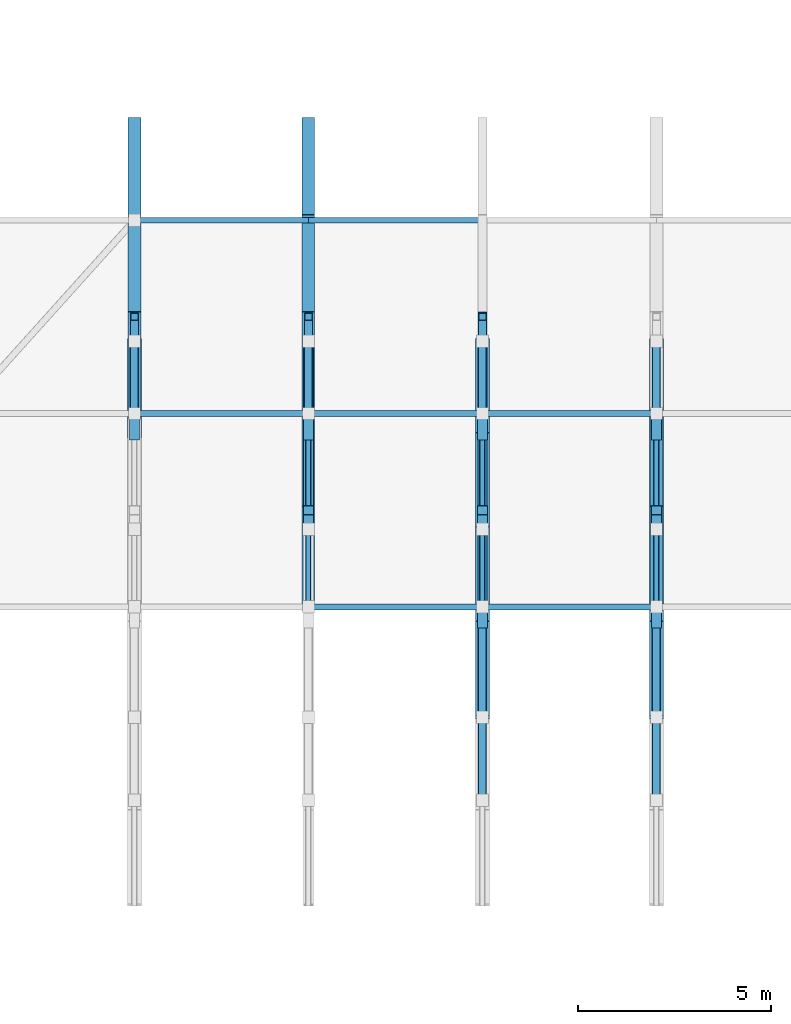
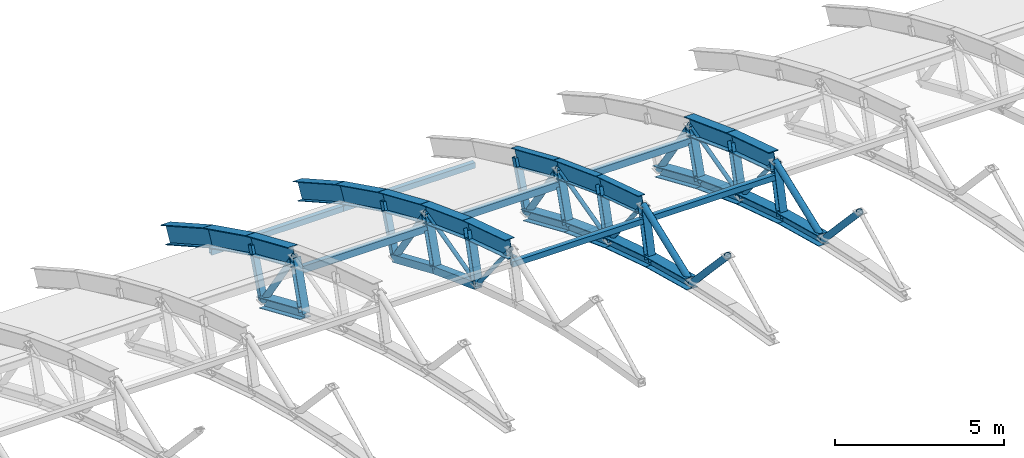
# One storey, part 48 of 103: 44 members, 13 beams.
"""IFC4 building model written with IfcOpenShell, lengths in metres."""

from ifc_helpers import new_model, si_unit, direction, frame, origin, origin_2d, place, context, subcontext, project, spatial, hollow_rectangle, hollow_circle, i_section, extrude, material, material_profile, profile_set, type_object, element, save


model = new_model("IFC4")

# Units and contexts
model_context = context("Model", 3, precision=1e-05, world=origin(), true_north=direction((0.0, 1.0)))
body_context = subcontext(model_context, "Body", "Model", "MODEL_VIEW")
ifc_project = project(units=[si_unit("LENGTHUNIT", "METRE"), si_unit("AREAUNIT", "SQUARE_METRE"), si_unit("VOLUMEUNIT", "CUBIC_METRE"), si_unit("PLANEANGLEUNIT", "RADIAN"), si_unit("MASSUNIT", "GRAM", prefix="KILO")], contexts=[model_context])

# Site, building, storey
site_placement = place(None, origin())
site = spatial("IfcSite", under=ifc_project, at=site_placement, CompositionType="ELEMENT")
building_placement = place(site_placement, origin())
building = spatial("IfcBuilding", under=site, at=building_placement, Name="Cazmaro Siding Exhibition Halls", CompositionType="ELEMENT")
storey_placement = place(building_placement, frame((0.0, 0.0, 16.5)))
storey = spatial("IfcBuildingStorey", under=building, at=storey_placement, Name="L03", CompositionType="ELEMENT", Elevation=16.5)

# Beams
ifc_material_1 = material(Name="Steel ASTM A992 Grade 50", Category="steel")
ifc_material_profile_1 = material_profile(ifc_material_1, i_section(OverallWidth=0.327880859375, OverallDepth=0.626953125, WebThickness=0.01708984375, FlangeThickness=0.028076171875, at=origin_2d()), Name="W24X146")
ifc_profile_set_1 = profile_set([ifc_material_profile_1], Name="Steel ASTM A992 Grade 50")
beam_type_1 = type_object("IfcBeamType", Name="AR-01", PredefinedType="USERDEFINED", material=ifc_profile_set_1)
beam_1_placement = place(storey_placement, frame((112.5, 114.0, 3.1220703125), z_axis=(0.0, 0.917729918626, -0.397204980405), x_axis=(-1.0, 0.0, 0.0)))
element("IfcBeam", 1, at=beam_1_placement, inside=storey, type_object=beam_type_1, Name="Space frame barrel vault arched rib AR-01 BM-0915", ObjectType="ARCHED RIB", PredefinedType="USERDEFINED", context=body_context, shape_type="SweptSolid", body=[
    extrude(i_section(OverallWidth=0.327880859375, OverallDepth=0.626953125, WebThickness=0.01708984375, FlangeThickness=0.028076171875, at=origin_2d()), origin(), (0.0, 0.0, 1.0), 2.72412109375),
])
beam_2_placement = place(storey_placement, frame((112.5, 116.5, 2.0400390625), z_axis=(0.0, 0.895996638269, -0.444060833908), x_axis=(-1.0, 0.0, 0.0)))
element("IfcBeam", 2, at=beam_2_placement, inside=storey, type_object=beam_type_1, Name="Space frame barrel vault arched rib AR-01 BM-0916", ObjectType="ARCHED RIB", PredefinedType="USERDEFINED", context=body_context, shape_type="SweptSolid", body=[
    extrude(i_section(OverallWidth=0.327880859375, OverallDepth=0.626953125, WebThickness=0.01708984375, FlangeThickness=0.028076171875, at=origin_2d()), origin(), (0.0, 0.0, 1.0), 2.790283203125),
])
beam_3_placement = place(storey_placement, frame((112.5, 119.0, 0.801025390625), z_axis=(0.0, 0.871320907359, -0.490713639916), x_axis=(-1.0, 0.0, 0.0)))
element("IfcBeam", 3, at=beam_3_placement, inside=storey, type_object=beam_type_1, Name="Space frame barrel vault arched rib AR-01 BM-0917", ObjectType="ARCHED RIB", PredefinedType="USERDEFINED", context=body_context, shape_type="SweptSolid", body=[
    extrude(i_section(OverallWidth=0.327880859375, OverallDepth=0.626953125, WebThickness=0.01708984375, FlangeThickness=0.028076171875, at=origin_2d()), origin(), (0.0, 0.0, 1.0), 2.869140625),
])
beam_4_placement = place(storey_placement, frame((126.0, 109.0, 4.85498046875), z_axis=(0.0, 0.952769241759, -0.303695195811), x_axis=(-1.0, 0.0, 0.0)))
element("IfcBeam", 4, at=beam_4_placement, inside=storey, type_object=beam_type_1, Name="Space frame barrel vault arched rib AR-01 BM-0985", ObjectType="ARCHED RIB", PredefinedType="USERDEFINED", context=body_context, shape_type="SweptSolid", body=[
    extrude(i_section(OverallWidth=0.327880859375, OverallDepth=0.626953125, WebThickness=0.01708984375, FlangeThickness=0.028076171875, at=origin_2d()), origin(), (0.0, 0.0, 1.0), 2.6240234375),
])
beam_5_placement = place(storey_placement, frame((126.0, 111.5, 4.05810546875), z_axis=(0.0, 0.936509460339, -0.350642311615), x_axis=(-1.0, 0.0, 0.0)))
element("IfcBeam", 5, at=beam_5_placement, inside=storey, type_object=beam_type_1, Name="Space frame barrel vault arched rib AR-01 BM-0986", ObjectType="ARCHED RIB", PredefinedType="USERDEFINED", context=body_context, shape_type="SweptSolid", body=[
    extrude(i_section(OverallWidth=0.327880859375, OverallDepth=0.626953125, WebThickness=0.01708984375, FlangeThickness=0.028076171875, at=origin_2d()), origin(), (0.0, 0.0, 1.0), 2.66943359375),
])
ifc_material_2 = material(Name="Steel ASTM A992 Grade 50", Category="steel")
ifc_material_profile_2 = material_profile(ifc_material_2, i_section(OverallWidth=0.324951171875, OverallDepth=0.612060546875, WebThickness=0.012939453125, FlangeThickness=0.01904296875, at=origin_2d()), Name="W24X104")
ifc_profile_set_2 = profile_set([ifc_material_profile_2], Name="Steel ASTM A992 Grade 50")
beam_type_2 = type_object("IfcBeamType", Name="AR-02", PredefinedType="USERDEFINED", material=ifc_profile_set_2)
beam_6_placement = place(storey_placement, frame((117.0, 109.0, 4.85498046875), z_axis=(0.0, 0.952769241759, -0.303695195811), x_axis=(-1.0, 0.0, 0.0)))
element("IfcBeam", 6, at=beam_6_placement, inside=storey, type_object=beam_type_2, Name="Space frame barrel vault arched rib AR-02 BM-0937", ObjectType="ARCHED RIB", PredefinedType="USERDEFINED", context=body_context, shape_type="SweptSolid", body=[
    extrude(i_section(OverallWidth=0.324951171875, OverallDepth=0.612060546875, WebThickness=0.012939453125, FlangeThickness=0.01904296875, at=origin_2d()), origin(), (0.0, 0.0, 1.0), 2.6240234375),
])
beam_7_placement = place(storey_placement, frame((117.0, 111.5, 4.05810546875), z_axis=(0.0, 0.936509460339, -0.350642311615), x_axis=(-1.0, 0.0, 0.0)))
element("IfcBeam", 7, at=beam_7_placement, inside=storey, type_object=beam_type_2, Name="Space frame barrel vault arched rib AR-02 BM-0938", ObjectType="ARCHED RIB", PredefinedType="USERDEFINED", context=body_context, shape_type="SweptSolid", body=[
    extrude(i_section(OverallWidth=0.324951171875, OverallDepth=0.612060546875, WebThickness=0.012939453125, FlangeThickness=0.01904296875, at=origin_2d()), origin(), (0.0, 0.0, 1.0), 2.66943359375),
])
beam_8_placement = place(storey_placement, frame((117.0, 114.0, 3.1220703125), z_axis=(0.0, 0.917729918626, -0.397204980405), x_axis=(-1.0, 0.0, 0.0)))
element("IfcBeam", 8, at=beam_8_placement, inside=storey, type_object=beam_type_2, Name="Space frame barrel vault arched rib AR-02 BM-0939", ObjectType="ARCHED RIB", PredefinedType="USERDEFINED", context=body_context, shape_type="SweptSolid", body=[
    extrude(i_section(OverallWidth=0.324951171875, OverallDepth=0.612060546875, WebThickness=0.012939453125, FlangeThickness=0.01904296875, at=origin_2d()), origin(), (0.0, 0.0, 1.0), 2.72412109375),
])
beam_9_placement = place(storey_placement, frame((117.0, 116.5, 2.0400390625), z_axis=(0.0, 0.895996638269, -0.444060833908), x_axis=(-1.0, 0.0, 0.0)))
element("IfcBeam", 9, at=beam_9_placement, inside=storey, type_object=beam_type_2, Name="Space frame barrel vault arched rib AR-02 BM-0940", ObjectType="ARCHED RIB", PredefinedType="USERDEFINED", context=body_context, shape_type="SweptSolid", body=[
    extrude(i_section(OverallWidth=0.324951171875, OverallDepth=0.612060546875, WebThickness=0.012939453125, FlangeThickness=0.01904296875, at=origin_2d()), origin(), (0.0, 0.0, 1.0), 2.790283203125),
])
beam_10_placement = place(storey_placement, frame((117.0, 119.0, 0.801025390625), z_axis=(0.0, 0.871320907359, -0.490713639916), x_axis=(-1.0, 0.0, 0.0)))
element("IfcBeam", 10, at=beam_10_placement, inside=storey, type_object=beam_type_2, Name="Space frame barrel vault arched rib AR-02 BM-0941", ObjectType="ARCHED RIB", PredefinedType="USERDEFINED", context=body_context, shape_type="SweptSolid", body=[
    extrude(i_section(OverallWidth=0.324951171875, OverallDepth=0.612060546875, WebThickness=0.012939453125, FlangeThickness=0.01904296875, at=origin_2d()), origin(), (0.0, 0.0, 1.0), 2.869140625),
])
ifc_material_3 = material(Name="Steel ASTM A992 Grade 50", Category="steel")
ifc_material_profile_3 = material_profile(ifc_material_3, i_section(OverallWidth=0.22900390625, OverallDepth=0.612060546875, WebThickness=0.011962890625, FlangeThickness=0.02001953125, at=origin_2d()), Name="W24X84")
ifc_profile_set_3 = profile_set([ifc_material_profile_3], Name="Steel ASTM A992 Grade 50")
beam_type_3 = type_object("IfcBeamType", Name="AR-03", PredefinedType="USERDEFINED", material=ifc_profile_set_3)
beam_11_placement = place(storey_placement, frame((121.5, 109.0, 4.85498046875), z_axis=(0.0, 0.952769241759, -0.303695195811), x_axis=(-1.0, 0.0, 0.0)))
element("IfcBeam", 11, at=beam_11_placement, inside=storey, type_object=beam_type_3, Name="Space frame barrel vault arched rib AR-03 BM-0961", ObjectType="ARCHED RIB", PredefinedType="USERDEFINED", context=body_context, shape_type="SweptSolid", body=[
    extrude(i_section(OverallWidth=0.22900390625, OverallDepth=0.612060546875, WebThickness=0.011962890625, FlangeThickness=0.02001953125, at=origin_2d()), origin(), (0.0, 0.0, 1.0), 2.6240234375),
])
beam_12_placement = place(storey_placement, frame((121.5, 111.5, 4.05810546875), z_axis=(0.0, 0.936509460339, -0.350642311615), x_axis=(-1.0, 0.0, 0.0)))
element("IfcBeam", 12, at=beam_12_placement, inside=storey, type_object=beam_type_3, Name="Space frame barrel vault arched rib AR-03 BM-0962", ObjectType="ARCHED RIB", PredefinedType="USERDEFINED", context=body_context, shape_type="SweptSolid", body=[
    extrude(i_section(OverallWidth=0.22900390625, OverallDepth=0.612060546875, WebThickness=0.011962890625, FlangeThickness=0.02001953125, at=origin_2d()), origin(), (0.0, 0.0, 1.0), 2.66943359375),
])
beam_13_placement = place(storey_placement, frame((121.5, 114.0, 3.1220703125), z_axis=(0.0, 0.917729918626, -0.397204980405), x_axis=(-1.0, 0.0, 0.0)))
element("IfcBeam", 13, at=beam_13_placement, inside=storey, type_object=beam_type_3, Name="Space frame barrel vault arched rib AR-03 BM-0963", ObjectType="ARCHED RIB", PredefinedType="USERDEFINED", context=body_context, shape_type="SweptSolid", body=[
    extrude(i_section(OverallWidth=0.22900390625, OverallDepth=0.612060546875, WebThickness=0.011962890625, FlangeThickness=0.02001953125, at=origin_2d()), origin(), (0.0, 0.0, 1.0), 2.72412109375),
])

# Members
ifc_material_4 = material(Name="Steel ASTM A500 Grade C", Category="steel")
ifc_material_profile_4 = material_profile(ifc_material_4, hollow_rectangle(XDim=0.152099609375, YDim=0.202880859375, WallThickness=0.011962890625, at=origin_2d()), Name="HSS8X6X1/2")
ifc_profile_set_4 = profile_set([ifc_material_profile_4], Name="Steel ASTM A500 Grade C")
member_type_1 = type_object("IfcMemberType", Name="RP-01", PredefinedType="PURLIN", material=ifc_profile_set_4)
for number, where, z_axis, x_axis, name in (
    (14, (112.5, 119.0, 0.260986328125), (1.0, 0.0, 0.0), (0.0, 1.0, 0.0), "Space frame barrel vault purlin RP-01 MEM-2157"),
    (15, (117.0, 109.0, 4.31494140625), (1.0, 0.0, 0.0), (0.0, 1.0, 0.0), "Space frame barrel vault purlin RP-01 MEM-2166"),
    (16, (117.0, 119.0, 0.260986328125), (1.0, 0.0, 0.0), (0.0, 1.0, 0.0), "Space frame barrel vault purlin RP-01 MEM-2168"),
    (17, (121.5, 109.0, 4.31494140625), (1.0, 0.0, 0.0), (0.0, 1.0, 0.0), "Space frame barrel vault purlin RP-01 MEM-2177"),
):
    element("IfcMember", number, at=place(storey_placement, frame(where, z_axis=z_axis, x_axis=x_axis)), inside=storey, type_object=member_type_1, Name=name, PredefinedType="PURLIN", context=body_context, shape_type="SweptSolid", body=[
        extrude(hollow_rectangle(XDim=0.152099609375, YDim=0.202880859375, WallThickness=0.011962890625, at=origin_2d()), origin(), (0.0, 0.0, 1.0), 4.5),
    ])
ifc_material_5 = material(Name="Steel ASTM A500 Grade C", Category="steel")
ifc_material_profile_5 = material_profile(ifc_material_5, hollow_rectangle(XDim=0.152099609375, YDim=0.25390625, WallThickness=0.011962890625, at=origin_2d()), Name="HSS10X6X1/2")
ifc_profile_set_5 = profile_set([ifc_material_profile_5], Name="Steel ASTM A500 Grade C")
member_type_2 = type_object("IfcMemberType", Name="RP-04", PredefinedType="PURLIN", material=ifc_profile_set_5)
for number, where, z_axis, x_axis, name in (
    (18, (112.5, 114.0, 2.58203125), (1.0, 0.0, 0.0), (0.0, 1.0, 0.0), "Space frame barrel vault purlin RP-04 MEM-2156"),
    (19, (117.0, 114.0, 2.58203125), (1.0, 0.0, 0.0), (0.0, 1.0, 0.0), "Space frame barrel vault purlin RP-04 MEM-2167"),
    (20, (121.5, 114.0, 2.58203125), (1.0, 0.0, 0.0), (0.0, 1.0, 0.0), "Space frame barrel vault purlin RP-04 MEM-2178"),
):
    element("IfcMember", number, at=place(storey_placement, frame(where, z_axis=z_axis, x_axis=x_axis)), inside=storey, type_object=member_type_2, Name=name, PredefinedType="PURLIN", context=body_context, shape_type="SweptSolid", body=[
        extrude(hollow_rectangle(XDim=0.152099609375, YDim=0.25390625, WallThickness=0.011962890625, at=origin_2d()), origin(), (0.0, 0.0, 1.0), 4.5),
    ])
ifc_material_6 = material(Name="Steel ASTM A500 Grade C", Category="steel")
ifc_material_profile_6 = material_profile(ifc_material_6, hollow_rectangle(XDim=0.25390625, YDim=0.25390625, WallThickness=0.014892578125, at=origin_2d()), Name="HSS10X10X5/8")
ifc_profile_set_6 = profile_set([ifc_material_profile_6], Name="Steel ASTM A500 Grade C")
member_type_3 = type_object("IfcMemberType", Name="TC-01", PredefinedType="CHORD", material=ifc_profile_set_6)
member_1_placement = place(storey_placement, frame((117.0, 111.009033203125, 2.340087890625), z_axis=(0.0, 0.936588022869, -0.350432412053), x_axis=(-1.0, 0.0, 0.0)))
element("IfcMember", 21, at=member_1_placement, inside=storey, type_object=member_type_3, Name="Space frame barrel vault bottom chord TC-01 MEM-1127", PredefinedType="CHORD", context=body_context, shape_type="SweptSolid", body=[
    extrude(hollow_rectangle(XDim=0.25390625, YDim=0.25390625, WallThickness=0.014892578125, at=origin_2d()), origin(), (0.0, 0.0, 1.0), 2.594482421875),
])
member_2_placement = place(storey_placement, frame((117.0, 113.43896484375, 1.430908203125), z_axis=(0.0, 0.917689003843, -0.397299499403), x_axis=(-1.0, 0.0, 0.0)))
element("IfcMember", 22, at=member_2_placement, inside=storey, type_object=member_type_3, Name="Space frame barrel vault bottom chord TC-01 MEM-1129", PredefinedType="CHORD", context=body_context, shape_type="SweptSolid", body=[
    extrude(hollow_rectangle(XDim=0.25390625, YDim=0.25390625, WallThickness=0.014892578125, at=origin_2d()), origin(), (0.0, 0.0, 1.0), 2.64794921875),
])
ifc_material_7 = material(Name="Steel ASTM A992 Grade 50", Category="steel")
ifc_material_profile_7 = material_profile(ifc_material_7, i_section(OverallWidth=0.37109375, OverallDepth=0.364013671875, WebThickness=0.012939453125, FlangeThickness=0.02197265625, at=origin_2d()), Name="W14X109")
ifc_profile_set_7 = profile_set([ifc_material_profile_7], Name="Steel ASTM A992 Grade 50")
member_type_4 = type_object("IfcMemberType", Name="TC-06", PredefinedType="CHORD", material=ifc_profile_set_7)
member_3_placement = place(storey_placement, frame((112.5, 113.43896484375, 1.430908203125), z_axis=(0.0, 0.917689003843, -0.397299499403), x_axis=(-1.0, 0.0, 0.0)))
element("IfcMember", 23, at=member_3_placement, inside=storey, type_object=member_type_4, Name="Space frame barrel vault bottom chord TC-06 MEM-1058", PredefinedType="CHORD", context=body_context, shape_type="SweptSolid", body=[
    extrude(i_section(OverallWidth=0.37109375, OverallDepth=0.364013671875, WebThickness=0.012939453125, FlangeThickness=0.02197265625, at=origin_2d()), origin(), (0.0, 0.0, 1.0), 2.64794921875),
])
member_4_placement = place(storey_placement, frame((121.5, 106.14990234375, 3.760986328125), z_axis=(0.0, 0.966437683387, -0.256901156343), x_axis=(-1.0, 0.0, 0.0)))
element("IfcMember", 24, at=member_4_placement, inside=storey, type_object=member_type_4, Name="Space frame barrel vault bottom chord TC-06 MEM-1194", PredefinedType="CHORD", context=body_context, shape_type="SweptSolid", body=[
    extrude(i_section(OverallWidth=0.37109375, OverallDepth=0.364013671875, WebThickness=0.012939453125, FlangeThickness=0.02197265625, at=origin_2d()), origin(), (0.0, 0.0, 1.0), 2.5146484375),
])
member_5_placement = place(storey_placement, frame((121.5, 108.580078125, 3.114990234375), z_axis=(0.0, 0.952692842525, -0.303934775573), x_axis=(-1.0, 0.0, 0.0)))
element("IfcMember", 25, at=member_5_placement, inside=storey, type_object=member_type_4, Name="Space frame barrel vault bottom chord TC-06 MEM-1196", PredefinedType="CHORD", context=body_context, shape_type="SweptSolid", body=[
    extrude(i_section(OverallWidth=0.37109375, OverallDepth=0.364013671875, WebThickness=0.012939453125, FlangeThickness=0.02197265625, at=origin_2d()), origin(), (0.0, 0.0, 1.0), 2.549560546875),
])
member_6_placement = place(storey_placement, frame((121.5, 111.009033203125, 2.340087890625), z_axis=(0.0, 0.936588022869, -0.350432412053), x_axis=(-1.0, 0.0, 0.0)))
element("IfcMember", 26, at=member_6_placement, inside=storey, type_object=member_type_4, Name="Space frame barrel vault bottom chord TC-06 MEM-1198", PredefinedType="CHORD", context=body_context, shape_type="SweptSolid", body=[
    extrude(i_section(OverallWidth=0.37109375, OverallDepth=0.364013671875, WebThickness=0.012939453125, FlangeThickness=0.02197265625, at=origin_2d()), origin(), (0.0, 0.0, 1.0), 2.594482421875),
])
member_7_placement = place(storey_placement, frame((121.5, 113.43896484375, 1.430908203125), z_axis=(0.0, 0.917689003843, -0.397299499403), x_axis=(-1.0, 0.0, 0.0)))
element("IfcMember", 27, at=member_7_placement, inside=storey, type_object=member_type_4, Name="Space frame barrel vault bottom chord TC-06 MEM-1200", PredefinedType="CHORD", context=body_context, shape_type="SweptSolid", body=[
    extrude(i_section(OverallWidth=0.37109375, OverallDepth=0.364013671875, WebThickness=0.012939453125, FlangeThickness=0.02197265625, at=origin_2d()), origin(), (0.0, 0.0, 1.0), 2.64794921875),
])
member_8_placement = place(storey_placement, frame((126.0, 106.14990234375, 3.760986328125), z_axis=(0.0, 0.966437683387, -0.256901156343), x_axis=(-1.0, 0.0, 0.0)))
element("IfcMember", 28, at=member_8_placement, inside=storey, type_object=member_type_4, Name="Space frame barrel vault bottom chord TC-06 MEM-1265", PredefinedType="CHORD", context=body_context, shape_type="SweptSolid", body=[
    extrude(i_section(OverallWidth=0.37109375, OverallDepth=0.364013671875, WebThickness=0.012939453125, FlangeThickness=0.02197265625, at=origin_2d()), origin(), (0.0, 0.0, 1.0), 2.5146484375),
])
member_9_placement = place(storey_placement, frame((126.0, 108.580078125, 3.114990234375), z_axis=(0.0, 0.952692842525, -0.303934775573), x_axis=(-1.0, 0.0, 0.0)))
element("IfcMember", 29, at=member_9_placement, inside=storey, type_object=member_type_4, Name="Space frame barrel vault bottom chord TC-06 MEM-1267", PredefinedType="CHORD", context=body_context, shape_type="SweptSolid", body=[
    extrude(i_section(OverallWidth=0.37109375, OverallDepth=0.364013671875, WebThickness=0.012939453125, FlangeThickness=0.02197265625, at=origin_2d()), origin(), (0.0, 0.0, 1.0), 2.549560546875),
])
member_10_placement = place(storey_placement, frame((126.0, 111.009033203125, 2.340087890625), z_axis=(0.0, 0.936588022869, -0.350432412053), x_axis=(-1.0, 0.0, 0.0)))
element("IfcMember", 30, at=member_10_placement, inside=storey, type_object=member_type_4, Name="Space frame barrel vault bottom chord TC-06 MEM-1269", PredefinedType="CHORD", context=body_context, shape_type="SweptSolid", body=[
    extrude(i_section(OverallWidth=0.37109375, OverallDepth=0.364013671875, WebThickness=0.012939453125, FlangeThickness=0.02197265625, at=origin_2d()), origin(), (0.0, 0.0, 1.0), 2.594482421875),
])
member_11_placement = place(storey_placement, frame((126.0, 113.43896484375, 1.430908203125), z_axis=(0.0, 0.917689003843, -0.397299499403), x_axis=(-1.0, 0.0, 0.0)))
element("IfcMember", 31, at=member_11_placement, inside=storey, type_object=member_type_4, Name="Space frame barrel vault bottom chord TC-06 MEM-1271", PredefinedType="CHORD", context=body_context, shape_type="SweptSolid", body=[
    extrude(i_section(OverallWidth=0.37109375, OverallDepth=0.364013671875, WebThickness=0.012939453125, FlangeThickness=0.02197265625, at=origin_2d()), origin(), (0.0, 0.0, 1.0), 2.64794921875),
])
ifc_material_8 = material(Name="Steel ASTM A500 Grade C", Category="steel")
ifc_material_profile_8 = material_profile(ifc_material_8, hollow_rectangle(XDim=0.202880859375, YDim=0.202880859375, WallThickness=0.011962890625, at=origin_2d()), Name="HSS8X8X1/2")
ifc_profile_set_8 = profile_set([ifc_material_profile_8], Name="Steel ASTM A500 Grade C")
member_type_5 = type_object("IfcMemberType", Name="TP-01", PredefinedType="POST", material=ifc_profile_set_8)
for number, where, z_axis, x_axis, name in (
    (32, (112.5, 115.868896484375, 0.37890625), (0.0, 0.355155331276, 0.934807301355), (-1.0, 0.0, 0.0), "Space frame barrel vault post TP-01 MEM-1086"),
    (33, (117.0, 115.868896484375, 0.37890625), (0.0, 0.355155331276, 0.934807301355), (-1.0, 0.0, 0.0), "Space frame barrel vault post TP-01 MEM-1157"),
    (34, (121.5, 115.868896484375, 0.37890625), (0.0, 0.355155331276, 0.934807301355), (-1.0, 0.0, 0.0), "Space frame barrel vault post TP-01 MEM-1228"),
):
    element("IfcMember", number, at=place(storey_placement, frame(where, z_axis=z_axis, x_axis=x_axis)), inside=storey, type_object=member_type_5, Name=name, PredefinedType="POST", context=body_context, shape_type="SweptSolid", body=[
        extrude(hollow_rectangle(XDim=0.202880859375, YDim=0.202880859375, WallThickness=0.011962890625, at=origin_2d()), origin(), (0.0, 0.0, 1.0), 1.777099609375),
    ])
ifc_material_9 = material(Name="Steel ASTM A992 Grade 50", Category="steel")
ifc_material_profile_9 = material_profile(ifc_material_9, i_section(OverallWidth=0.25390625, OverallDepth=0.25390625, WebThickness=0.009033203125, FlangeThickness=0.013916015625, at=origin_2d()), Name="W10X49")
ifc_profile_set_9 = profile_set([ifc_material_profile_9], Name="Steel ASTM A992 Grade 50")
member_type_6 = type_object("IfcMemberType", Name="TP-04", PredefinedType="POST", material=ifc_profile_set_9)
member_12_placement = place(storey_placement, frame((112.5, 113.43896484375, 1.430908203125), z_axis=(0.0, 0.314870949103, 0.949134492794), x_axis=(-1.0, 0.0, 0.0)))
element("IfcMember", 35, at=member_12_placement, inside=storey, type_object=member_type_6, Name="Space frame barrel vault post TP-04 MEM-1085", PredefinedType="POST", context=body_context, shape_type="SweptSolid", body=[
    extrude(i_section(OverallWidth=0.25390625, OverallDepth=0.25390625, WebThickness=0.009033203125, FlangeThickness=0.013916015625, at=origin_2d()), origin(), (0.0, 0.0, 1.0), 1.78173828125),
])
member_13_placement = place(storey_placement, frame((117.0, 111.009033203125, 2.340087890625), z_axis=(0.0, 0.274775266308, 0.961508477875), x_axis=(-1.0, 0.0, 0.0)))
element("IfcMember", 36, at=member_13_placement, inside=storey, type_object=member_type_6, Name="Space frame barrel vault post TP-04 MEM-1155", PredefinedType="POST", context=body_context, shape_type="SweptSolid", body=[
    extrude(i_section(OverallWidth=0.25390625, OverallDepth=0.25390625, WebThickness=0.009033203125, FlangeThickness=0.013916015625, at=origin_2d()), origin(), (0.0, 0.0, 1.0), 1.786865234375),
])
member_14_placement = place(storey_placement, frame((117.0, 113.43896484375, 1.430908203125), z_axis=(0.0, 0.314870949103, 0.949134492794), x_axis=(-1.0, 0.0, 0.0)))
element("IfcMember", 37, at=member_14_placement, inside=storey, type_object=member_type_6, Name="Space frame barrel vault post TP-04 MEM-1156", PredefinedType="POST", context=body_context, shape_type="SweptSolid", body=[
    extrude(i_section(OverallWidth=0.25390625, OverallDepth=0.25390625, WebThickness=0.009033203125, FlangeThickness=0.013916015625, at=origin_2d()), origin(), (0.0, 0.0, 1.0), 1.78173828125),
])
member_15_placement = place(storey_placement, frame((121.5, 108.580078125, 3.114990234375), z_axis=(0.0, 0.234600533729, 0.972091862724), x_axis=(-1.0, 0.0, 0.0)))
element("IfcMember", 38, at=member_15_placement, inside=storey, type_object=member_type_6, Name="Space frame barrel vault post TP-04 MEM-1225", PredefinedType="POST", context=body_context, shape_type="SweptSolid", body=[
    extrude(i_section(OverallWidth=0.25390625, OverallDepth=0.25390625, WebThickness=0.009033203125, FlangeThickness=0.013916015625, at=origin_2d()), origin(), (0.0, 0.0, 1.0), 1.7900390625),
])
member_16_placement = place(storey_placement, frame((121.5, 111.009033203125, 2.340087890625), z_axis=(0.0, 0.274775266308, 0.961508477875), x_axis=(-1.0, 0.0, 0.0)))
element("IfcMember", 39, at=member_16_placement, inside=storey, type_object=member_type_6, Name="Space frame barrel vault post TP-04 MEM-1226", PredefinedType="POST", context=body_context, shape_type="SweptSolid", body=[
    extrude(i_section(OverallWidth=0.25390625, OverallDepth=0.25390625, WebThickness=0.009033203125, FlangeThickness=0.013916015625, at=origin_2d()), origin(), (0.0, 0.0, 1.0), 1.786865234375),
])
member_17_placement = place(storey_placement, frame((121.5, 113.43896484375, 1.430908203125), z_axis=(0.0, 0.314870949103, 0.949134492794), x_axis=(-1.0, 0.0, 0.0)))
element("IfcMember", 40, at=member_17_placement, inside=storey, type_object=member_type_6, Name="Space frame barrel vault post TP-04 MEM-1227", PredefinedType="POST", context=body_context, shape_type="SweptSolid", body=[
    extrude(i_section(OverallWidth=0.25390625, OverallDepth=0.25390625, WebThickness=0.009033203125, FlangeThickness=0.013916015625, at=origin_2d()), origin(), (0.0, 0.0, 1.0), 1.78173828125),
])
member_18_placement = place(storey_placement, frame((126.0, 108.580078125, 3.114990234375), z_axis=(0.0, 0.234600533729, 0.972091862724), x_axis=(-1.0, 0.0, 0.0)))
element("IfcMember", 41, at=member_18_placement, inside=storey, type_object=member_type_6, Name="Space frame barrel vault post TP-04 MEM-1296", PredefinedType="POST", context=body_context, shape_type="SweptSolid", body=[
    extrude(i_section(OverallWidth=0.25390625, OverallDepth=0.25390625, WebThickness=0.009033203125, FlangeThickness=0.013916015625, at=origin_2d()), origin(), (0.0, 0.0, 1.0), 1.7900390625),
])
member_19_placement = place(storey_placement, frame((126.0, 111.009033203125, 2.340087890625), z_axis=(0.0, 0.274775266308, 0.961508477875), x_axis=(-1.0, 0.0, 0.0)))
element("IfcMember", 42, at=member_19_placement, inside=storey, type_object=member_type_6, Name="Space frame barrel vault post TP-04 MEM-1297", PredefinedType="POST", context=body_context, shape_type="SweptSolid", body=[
    extrude(i_section(OverallWidth=0.25390625, OverallDepth=0.25390625, WebThickness=0.009033203125, FlangeThickness=0.013916015625, at=origin_2d()), origin(), (0.0, 0.0, 1.0), 1.786865234375),
])
member_20_placement = place(storey_placement, frame((126.0, 113.43896484375, 1.430908203125), z_axis=(0.0, 0.314870949103, 0.949134492794), x_axis=(-1.0, 0.0, 0.0)))
element("IfcMember", 43, at=member_20_placement, inside=storey, type_object=member_type_6, Name="Space frame barrel vault post TP-04 MEM-1298", PredefinedType="POST", context=body_context, shape_type="SweptSolid", body=[
    extrude(i_section(OverallWidth=0.25390625, OverallDepth=0.25390625, WebThickness=0.009033203125, FlangeThickness=0.013916015625, at=origin_2d()), origin(), (0.0, 0.0, 1.0), 1.78173828125),
])
ifc_material_10 = material(Name="Steel ASTM A500 Grade C", Category="steel")
ifc_material_profile_10 = material_profile(ifc_material_10, hollow_circle(Radius=0.109619140625, WallThickness=0.012939453125, at=origin_2d()), Name="PIPE8XS")
ifc_profile_set_10 = profile_set([ifc_material_profile_10], Name="Steel ASTM A500 Grade C")
member_type_7 = type_object("IfcMemberType", Name="WB-01", PredefinedType="BRACE", material=ifc_profile_set_10)
for number, where, z_axis, x_axis, name in (
    (44, (112.5, 114.0, 3.1220703125), (0.0, 0.563040090795, -0.826429583302), (-1.0, 0.0, 0.0), "Space frame barrel vault diagonal WB-01 MEM-1059"),
    (45, (117.0, 114.0, 3.1220703125), (0.0, 0.563040090795, -0.826429583302), (-1.0, 0.0, 0.0), "Space frame barrel vault diagonal WB-01 MEM-1130"),
):
    element("IfcMember", number, at=place(storey_placement, frame(where, z_axis=z_axis, x_axis=x_axis)), inside=storey, type_object=member_type_7, Name=name, PredefinedType="BRACE", context=body_context, shape_type="SweptSolid", body=[
        extrude(hollow_circle(Radius=0.109619140625, WallThickness=0.012939453125, at=origin_2d()), origin(), (0.0, 0.0, 1.0), 3.3193359375),
    ])
member_21_placement = place(storey_placement, frame((121.5, 104.0, 6.056884765625), z_axis=(0.0, 0.683517575744, -0.729934054315), x_axis=(-1.0, 0.0, 0.0)))
element("IfcMember", 46, at=member_21_placement, inside=storey, type_object=member_type_7, Name="Space frame barrel vault diagonal WB-01 MEM-1193", PredefinedType="BRACE", context=body_context, shape_type="SweptSolid", body=[
    extrude(hollow_circle(Radius=0.109619140625, WallThickness=0.012939453125, at=origin_2d()), origin(), (0.0, 0.0, 1.0), 3.145263671875),
])
member_22_placement = place(storey_placement, frame((121.5, 106.14990234375, 3.760986328125), z_axis=(0.0, 0.933586546586, 0.358352005761), x_axis=(-1.0, 0.0, 0.0)))
element("IfcMember", 47, at=member_22_placement, inside=storey, type_object=member_type_7, Name="Space frame barrel vault diagonal WB-01 MEM-1195", PredefinedType="BRACE", context=body_context, shape_type="SweptSolid", body=[
    extrude(hollow_circle(Radius=0.109619140625, WallThickness=0.012939453125, at=origin_2d()), origin(), (0.0, 0.0, 1.0), 3.052734375),
])
member_23_placement = place(storey_placement, frame((121.5, 114.0, 3.1220703125), z_axis=(0.0, 0.563040090795, -0.826429583302), x_axis=(-1.0, 0.0, 0.0)))
element("IfcMember", 48, at=member_23_placement, inside=storey, type_object=member_type_7, Name="Space frame barrel vault diagonal WB-01 MEM-1201", PredefinedType="BRACE", context=body_context, shape_type="SweptSolid", body=[
    extrude(hollow_circle(Radius=0.109619140625, WallThickness=0.012939453125, at=origin_2d()), origin(), (0.0, 0.0, 1.0), 3.3193359375),
])
member_24_placement = place(storey_placement, frame((126.0, 104.0, 6.056884765625), z_axis=(0.0, 0.683517575744, -0.729934054315), x_axis=(-1.0, 0.0, 0.0)))
element("IfcMember", 49, at=member_24_placement, inside=storey, type_object=member_type_7, Name="Space frame barrel vault diagonal WB-01 MEM-1264", PredefinedType="BRACE", context=body_context, shape_type="SweptSolid", body=[
    extrude(hollow_circle(Radius=0.109619140625, WallThickness=0.012939453125, at=origin_2d()), origin(), (0.0, 0.0, 1.0), 3.145263671875),
])
member_25_placement = place(storey_placement, frame((126.0, 106.14990234375, 3.760986328125), z_axis=(0.0, 0.933586546586, 0.358352005761), x_axis=(-1.0, 0.0, 0.0)))
element("IfcMember", 50, at=member_25_placement, inside=storey, type_object=member_type_7, Name="Space frame barrel vault diagonal WB-01 MEM-1266", PredefinedType="BRACE", context=body_context, shape_type="SweptSolid", body=[
    extrude(hollow_circle(Radius=0.109619140625, WallThickness=0.012939453125, at=origin_2d()), origin(), (0.0, 0.0, 1.0), 3.052734375),
])
member_26_placement = place(storey_placement, frame((126.0, 114.0, 3.1220703125), z_axis=(0.0, 0.563040090795, -0.826429583302), x_axis=(-1.0, 0.0, 0.0)))
element("IfcMember", 51, at=member_26_placement, inside=storey, type_object=member_type_7, Name="Space frame barrel vault diagonal WB-01 MEM-1272", PredefinedType="BRACE", context=body_context, shape_type="SweptSolid", body=[
    extrude(hollow_circle(Radius=0.109619140625, WallThickness=0.012939453125, at=origin_2d()), origin(), (0.0, 0.0, 1.0), 3.3193359375),
])
ifc_material_11 = material(Name="Steel ASTM A500 Grade C", Category="steel")
ifc_material_profile_11 = material_profile(ifc_material_11, hollow_circle(Radius=0.070556640625, WallThickness=0.01904296875, at=origin_2d()), Name="PIPE5XXS")
ifc_profile_set_11 = profile_set([ifc_material_profile_11], Name="Steel ASTM A500 Grade C")
member_type_8 = type_object("IfcMemberType", Name="WB-07", PredefinedType="BRACE", material=ifc_profile_set_11)
member_27_placement = place(storey_placement, frame((117.0, 109.0, 4.85498046875), z_axis=(0.0, 0.624149162907, -0.781305204412), x_axis=(-1.0, 0.0, 0.0)))
element("IfcMember", 52, at=member_27_placement, inside=storey, type_object=member_type_8, Name="Space frame barrel vault diagonal WB-07 MEM-1126", PredefinedType="BRACE", context=body_context, shape_type="SweptSolid", body=[
    extrude(hollow_circle(Radius=0.070556640625, WallThickness=0.01904296875, at=origin_2d()), origin(), (0.0, 0.0, 1.0), 3.21875),
])
member_28_placement = place(storey_placement, frame((117.0, 111.009033203125, 2.340087890625), z_axis=(0.0, 0.967480432857, 0.252945867802), x_axis=(-1.0, 0.0, 0.0)))
element("IfcMember", 53, at=member_28_placement, inside=storey, type_object=member_type_8, Name="Space frame barrel vault diagonal WB-07 MEM-1128", PredefinedType="BRACE", context=body_context, shape_type="SweptSolid", body=[
    extrude(hollow_circle(Radius=0.070556640625, WallThickness=0.01904296875, at=origin_2d()), origin(), (0.0, 0.0, 1.0), 3.091552734375),
])
member_29_placement = place(storey_placement, frame((121.5, 109.0, 4.85498046875), z_axis=(0.0, 0.624149162907, -0.781305204412), x_axis=(-1.0, 0.0, 0.0)))
element("IfcMember", 54, at=member_29_placement, inside=storey, type_object=member_type_8, Name="Space frame barrel vault diagonal WB-07 MEM-1197", PredefinedType="BRACE", context=body_context, shape_type="SweptSolid", body=[
    extrude(hollow_circle(Radius=0.070556640625, WallThickness=0.01904296875, at=origin_2d()), origin(), (0.0, 0.0, 1.0), 3.21875),
])
member_30_placement = place(storey_placement, frame((121.5, 111.009033203125, 2.340087890625), z_axis=(0.0, 0.967480432857, 0.252945867802), x_axis=(-1.0, 0.0, 0.0)))
element("IfcMember", 55, at=member_30_placement, inside=storey, type_object=member_type_8, Name="Space frame barrel vault diagonal WB-07 MEM-1199", PredefinedType="BRACE", context=body_context, shape_type="SweptSolid", body=[
    extrude(hollow_circle(Radius=0.070556640625, WallThickness=0.01904296875, at=origin_2d()), origin(), (0.0, 0.0, 1.0), 3.091552734375),
])
member_31_placement = place(storey_placement, frame((126.0, 109.0, 4.85498046875), z_axis=(0.0, 0.624149162907, -0.781305204412), x_axis=(-1.0, 0.0, 0.0)))
element("IfcMember", 56, at=member_31_placement, inside=storey, type_object=member_type_8, Name="Space frame barrel vault diagonal WB-07 MEM-1268", PredefinedType="BRACE", context=body_context, shape_type="SweptSolid", body=[
    extrude(hollow_circle(Radius=0.070556640625, WallThickness=0.01904296875, at=origin_2d()), origin(), (0.0, 0.0, 1.0), 3.21875),
])
member_32_placement = place(storey_placement, frame((126.0, 111.009033203125, 2.340087890625), z_axis=(0.0, 0.967480432857, 0.252945867802), x_axis=(-1.0, 0.0, 0.0)))
element("IfcMember", 57, at=member_32_placement, inside=storey, type_object=member_type_8, Name="Space frame barrel vault diagonal WB-07 MEM-1270", PredefinedType="BRACE", context=body_context, shape_type="SweptSolid", body=[
    extrude(hollow_circle(Radius=0.070556640625, WallThickness=0.01904296875, at=origin_2d()), origin(), (0.0, 0.0, 1.0), 3.091552734375),
])

save(model, "model.ifc")
